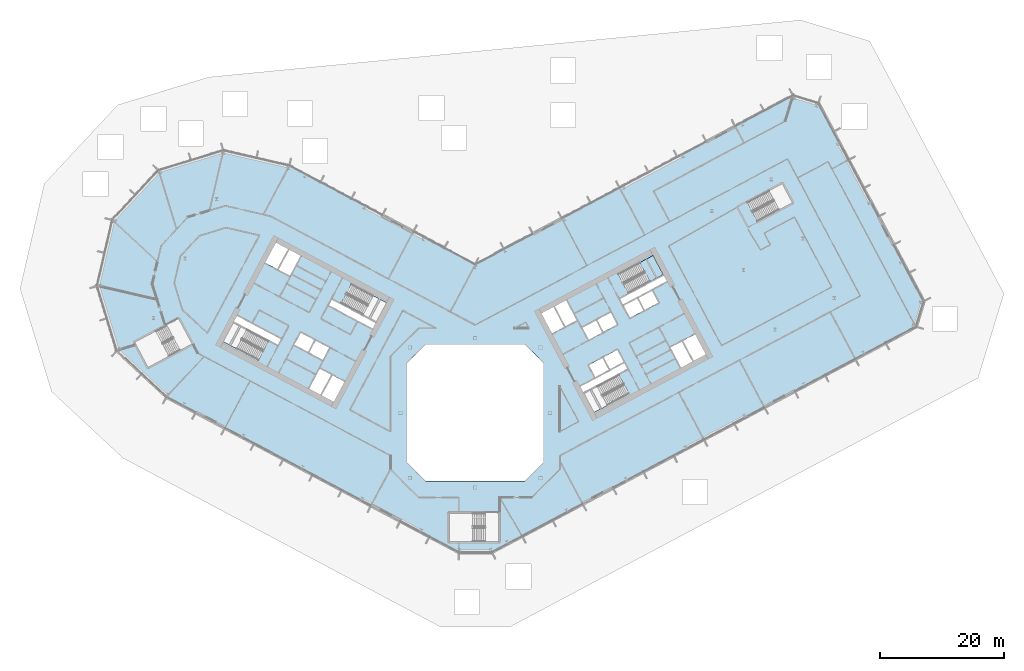
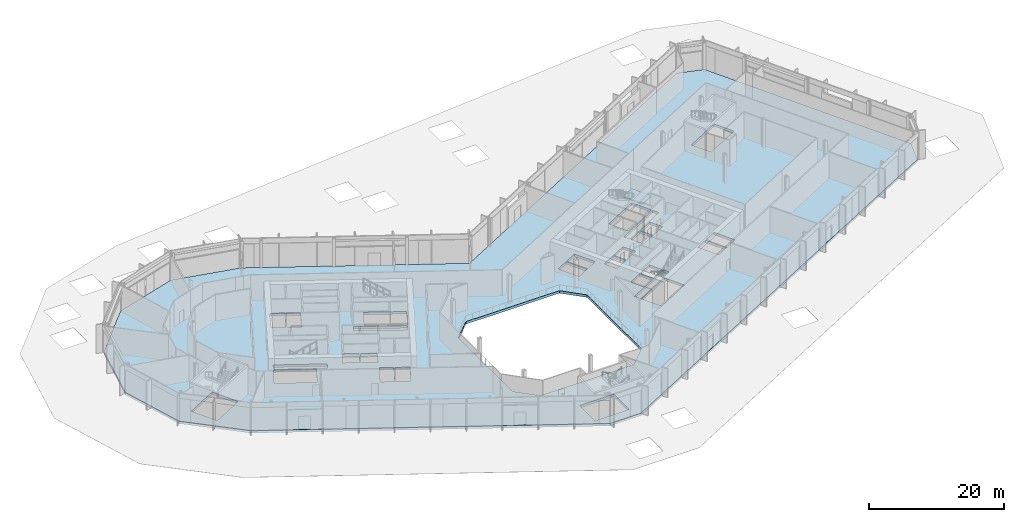
# One storey, part 10 of 30: 2 slabs, 1 element without a shape of its own.
"""IFC4 building model written with IfcOpenShell, lengths in metres."""

from ifc_helpers import new_model, si_unit, direction, frame, origin, place, context, subcontext, project, spatial, polyline, outline, extrude, material, layer, layer_set, type_object, element, aggregate, save


model = new_model("IFC4")

# Units and contexts
model_context = context("Model", 3, precision=1e-05, world=origin(), true_north=direction((0.0, 1.0)))
body_context = subcontext(model_context, "Body", "Model", "MODEL_VIEW")
ifc_project = project(units=[si_unit("LENGTHUNIT", "METRE"), si_unit("AREAUNIT", "SQUARE_METRE"), si_unit("VOLUMEUNIT", "CUBIC_METRE"), si_unit("PLANEANGLEUNIT", "RADIAN"), si_unit("MASSUNIT", "GRAM", prefix="KILO")], contexts=[model_context])

# Site, building, storey
site_placement = place(None, origin())
site = spatial("IfcSite", under=ifc_project, at=site_placement, CompositionType="ELEMENT")
building_placement = place(site_placement, origin())
building = spatial("IfcBuilding", under=site, at=building_placement, Name="Cormorant Relay Tower", CompositionType="ELEMENT")
storey_placement = place(building_placement, frame((0.0, 0.0, 7.0)))
storey = spatial("IfcBuildingStorey", under=building, at=storey_placement, Name="L01", CompositionType="ELEMENT", Elevation=7.0)

# Stair, slab
ifc_material_1 = material(Name="Concrete 40 MPa", Category="concrete")
stair_type = type_object("IfcStairType", Name="Exit stair 1500", PredefinedType="HALF_TURN_STAIR", material=ifc_material_1)
stair_placement = place(storey_placement, origin())
stair = element("IfcStair", 1, at=stair_placement, inside=storey, type_object=stair_type, Name="L01 Stair", PredefinedType="HALF_TURN_STAIR")
ifc_material_2 = material(Name="Concrete 40 MPa", Category="concrete")
ifc_layer_1 = layer(ifc_material_2, 0.199951171875)
ifc_layer_set_1 = layer_set([ifc_layer_1], Name="Exit stair landing 200")
slab_type_1 = type_object("IfcSlabType", Name="Exit stair landing 200", PredefinedType="LANDING", material=ifc_layer_set_1)
slab_1_placement = place(storey_placement, frame((0.0, 0.0, 2.39990234375)))
slab_1 = element("IfcSlab", 2, at=slab_1_placement, type_object=slab_type_1, Name="B2 landing 1", PredefinedType="LANDING", context=body_context, shape_type="SweptSolid", body=[
    extrude(outline(polyline([(28.05322265625, 21.088623046875), (30.19873046875, 22.2294921875), (28.5791015625, 25.275634765625), (26.43359375, 24.134765625), (28.05322265625, 21.088623046875)])), origin(), (0.0, 0.0, 1.0), 0.2001953125),
])
aggregate(stair, [slab_1])

# Slab
ifc_material_3 = material(Name="Concrete 40 MPa", Category="concrete")
ifc_layer_2 = layer(ifc_material_3, 0.449951171875)
ifc_layer_set_2 = layer_set([ifc_layer_2], Name="Flat plate 450")
slab_type_2 = type_object("IfcSlabType", Name="Flat plate 450", PredefinedType="FLOOR", material=ifc_layer_set_2)
slab_2_placement = place(storey_placement, frame((0.0, 0.0, -0.449951171875)))
element("IfcSlab", 3, at=slab_2_placement, inside=storey, type_object=slab_type_2, Name="Floor slab L01", PredefinedType="FLOOR", context=body_context, shape_type="SweptSolid", body=[
    extrude(outline(polyline([(-60.7197265625, 20.393310546875), (-58.2744140625, 30.985107421875), (-50.86083984375, 38.935302734375), (-40.465576171875, 42.11328125), (-29.873779296875, 39.668212890625), (0.0, 23.783935546875), (51.064453125, 50.935302734375), (55.12158203125, 49.695068359375), (72.022705078125, 17.908935546875), (70.7822265625, 13.8515625), (2.648681640625, -22.37548828125), (-2.648681640625, -22.37548828125), (-49.591552734375, 2.584228515625), (-57.541748046875, 9.997802734375), (-60.7197265625, 20.393310546875)]), holes=[polyline([(11.0, -8.0), (11.0, 8.0), (8.0, 11.0), (-8.0, 11.0), (-11.0, 8.0), (-11.0, -8.0), (-8.0, -11.0), (8.0, -11.0), (11.0, -8.0)]), polyline([(-4.199951171875, -16.125), (-4.199951171875, -20.675048828125), (1.60009765625, -20.675048828125), (1.60009765625, -16.125), (-4.199951171875, -16.125)]), polyline([(-22.95458984375, 6.03271484375), (-24.668212890625, 2.81005859375), (-22.725830078125, 1.777099609375), (-21.01220703125, 5.0), (-23.04296875, 6.07958984375), (-22.95458984375, 6.03271484375)]), polyline([(-24.985595703125, 7.112548828125), (-26.69921875, 3.889892578125), (-24.844970703125, 2.90380859375), (-23.13134765625, 6.126708984375), (-23.04296875, 6.07958984375), (-24.985595703125, 7.112548828125)]), polyline([(-26.688720703125, 9.660400390625), (-24.481201171875, 8.48681640625), (-23.448486328125, 10.42919921875), (-25.656005859375, 11.602783203125), (-26.688720703125, 9.660400390625)]), polyline([(-49.57861328125, 14.0537109375), (-54.69970703125, 11.330810546875), (-52.563720703125, 7.3134765625), (-47.442626953125, 10.036376953125), (-49.57861328125, 14.0537109375)]), polyline([(-28.039794921875, 12.870361328125), (-29.07275390625, 10.927978515625), (-26.865234375, 9.75439453125), (-25.83251953125, 11.69677734375), (-28.039794921875, 12.870361328125)]), polyline([(-38.847900390625, 14.483154296875), (-40.46728515625, 11.43701171875), (-34.860595703125, 8.455810546875), (-33.240966796875, 11.502197265625), (-38.847900390625, 14.483154296875)]), polyline([(-38.260986328125, 15.5869140625), (-38.75390625, 14.659912109375), (-31.690185546875, 10.904052734375), (-31.197265625, 11.8310546875), (-38.260986328125, 15.5869140625)]), polyline([(14.3056640625, 13.779052734375), (12.592041015625, 17.001708984375), (10.649658203125, 15.968994140625), (12.36328125, 12.74609375), (14.39404296875, 13.825927734375), (14.3056640625, 13.779052734375)]), polyline([(16.33642578125, 14.85888671875), (14.622802734375, 18.08154296875), (12.768798828125, 17.095703125), (14.482421875, 13.872802734375), (14.39404296875, 13.825927734375), (16.33642578125, 14.85888671875)]), polyline([(-16.481689453125, 13.520263671875), (-15.989013671875, 14.447509765625), (-23.052490234375, 18.203125), (-23.54541015625, 17.276123046875), (-16.481689453125, 13.520263671875)]), polyline([(-21.501708984375, 17.605224609375), (-15.89501953125, 14.6240234375), (-14.275390625, 17.670166015625), (-19.882080078125, 20.6513671875), (-21.501708984375, 17.605224609375)]), polyline([(-31.611572265625, 22.980712890625), (-29.75732421875, 21.99462890625), (-28.043701171875, 25.217529296875), (-29.89794921875, 26.203369140625), (-31.611572265625, 22.980712890625)]), polyline([(-33.73046875, 24.107421875), (-31.7880859375, 23.074462890625), (-30.074462890625, 26.29736328125), (-32.01708984375, 27.330078125), (-33.73046875, 24.107421875)]), polyline([(23.087158203125, 6.10302734375), (17.48046875, 3.1220703125), (19.10009765625, 0.07568359375), (24.706787109375, 3.056884765625), (23.087158203125, 6.10302734375)]), polyline([(16.8935546875, 4.2255859375), (17.386474609375, 3.298583984375), (24.4501953125, 7.054443359375), (23.957275390625, 7.9814453125), (16.8935546875, 4.2255859375)]), polyline([(20.446533203125, 8.8330078125), (18.239013671875, 7.6591796875), (19.27197265625, 5.716796875), (21.479248046875, 6.890380859375), (20.446533203125, 8.8330078125)]), polyline([(22.830322265625, 10.1005859375), (20.623046875, 8.927001953125), (21.656005859375, 6.984375), (23.86328125, 8.158203125), (22.830322265625, 10.1005859375)]), polyline([(33.197021484375, 11.478515625), (31.3427734375, 10.49267578125), (33.056396484375, 7.27001953125), (34.910400390625, 8.255859375), (33.197021484375, 11.478515625)]), polyline([(33.37353515625, 11.572509765625), (35.087158203125, 8.349609375), (37.029541015625, 9.382568359375), (35.31591796875, 12.605224609375), (33.37353515625, 11.572509765625)]), polyline([(19.401123046875, 14.84619140625), (17.19384765625, 13.67236328125), (18.2265625, 11.72998046875), (20.43408203125, 12.903564453125), (19.401123046875, 14.84619140625)]), polyline([(22.81787109375, 14.171142578125), (21.78515625, 16.113525390625), (19.57763671875, 14.93994140625), (20.610595703125, 12.99755859375), (22.81787109375, 14.171142578125)]), polyline([(26.023193359375, 18.3671875), (23.81591796875, 17.193359375), (24.8486328125, 15.2509765625), (27.05615234375, 16.424560546875), (26.023193359375, 18.3671875)]), polyline([(29.440185546875, 17.692138671875), (28.4072265625, 19.634765625), (26.19970703125, 18.4609375), (27.232666015625, 16.5185546875), (29.440185546875, 17.692138671875)]), polyline([(30.78564453125, 21.125732421875), (30.29248046875, 22.052978515625), (23.22900390625, 18.297119140625), (23.721923828125, 17.3701171875), (30.78564453125, 21.125732421875)]), polyline([(24.592041015625, 19.248291015625), (30.19873046875, 22.2294921875), (28.5791015625, 25.275634765625), (22.972412109375, 22.29443359375), (24.592041015625, 19.248291015625)]), polyline([(45.3349609375, 30.773681640625), (50.941650390625, 33.7548828125), (49.322021484375, 36.801025390625), (43.715087890625, 33.81982421875), (45.3349609375, 30.773681640625)])]), origin(), (0.0, 0.0, 1.0), 0.449951171875),
])

save(model, "model.ifc")
